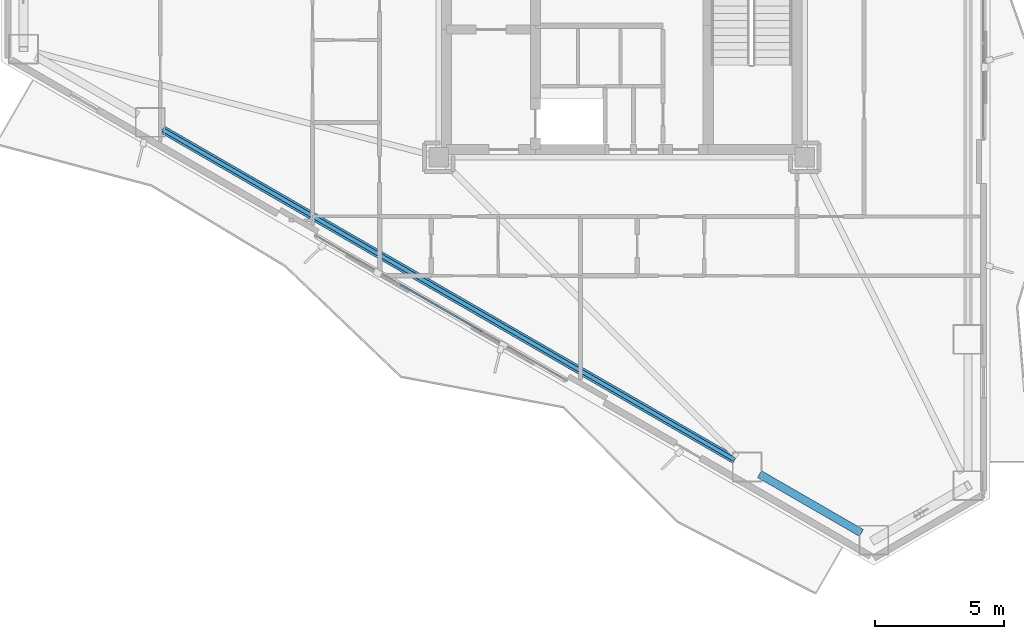
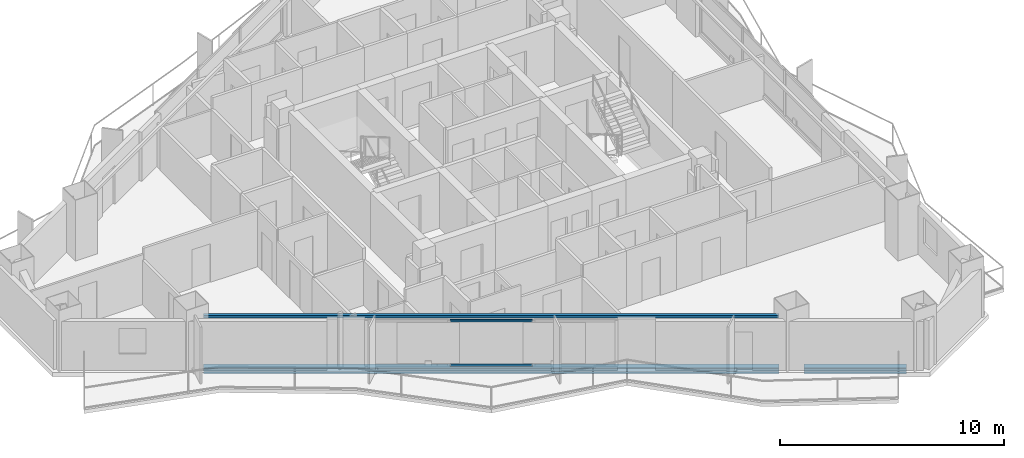
# One storey, part 3 of 22: 3 beams, 2 members, 1 element without a shape of its own.
"""IFC4 building model written with IfcOpenShell, lengths in metres."""

from ifc_helpers import new_model, si_unit, direction, frame, origin, origin_2d, place, context, subcontext, project, spatial, hollow_rectangle, i_section, extrude, material, layer, layer_set, material_profile, profile_set, type_object, element, aggregate, save


model = new_model("IFC4")

# Units and contexts
model_context = context("Model", 3, precision=1e-05, world=origin(), true_north=direction((0.0, 1.0)))
body_context = subcontext(model_context, "Body", "Model", "MODEL_VIEW")
ifc_project = project(units=[si_unit("LENGTHUNIT", "METRE"), si_unit("AREAUNIT", "SQUARE_METRE"), si_unit("VOLUMEUNIT", "CUBIC_METRE"), si_unit("PLANEANGLEUNIT", "RADIAN"), si_unit("MASSUNIT", "GRAM", prefix="KILO")], contexts=[model_context])

# Site, building, storey
site_placement = place(None, origin())
site = spatial("IfcSite", under=ifc_project, at=site_placement, CompositionType="ELEMENT")
building_placement = place(site_placement, origin())
building = spatial("IfcBuilding", under=site, at=building_placement, Name="Mersakhor Tower and Convention Hall", CompositionType="ELEMENT")
storey_placement = place(building_placement, frame((0.0, 0.0, 99.89990234375)))
storey = spatial("IfcBuildingStorey", under=building, at=storey_placement, Name="L27", CompositionType="ELEMENT", Elevation=99.89990234375)

# Beams
ifc_material_1 = material(Name="Steel S355", Category="steel")
ifc_material_profile_1 = material_profile(ifc_material_1, hollow_rectangle(XDim=0.14990234375, YDim=0.14990234375, WallThickness=0.010009765625, at=origin_2d()), Name="SHS 150x150x10")
ifc_profile_set_1 = profile_set([ifc_material_profile_1], Name="Steel S355")
beam_type_1 = type_object("IfcBeamType", Name="BM-GRT-SHS150", PredefinedType="USERDEFINED", material=ifc_profile_set_1)
beam_1_placement = place(storey_placement, frame((33.38232421875, 8.706787109375, 2.47998046875), z_axis=(-0.866022538643, 0.500004962538, 0.0), x_axis=(-0.500004962538, -0.866022538643, 0.0)))
element("IfcBeam", 1, at=beam_1_placement, inside=storey, type_object=beam_type_1, Name="L27 Facade Support Girt GRT-F3", ObjectType="GIRT", PredefinedType="USERDEFINED", context=body_context, shape_type="SweptSolid", body=[
    extrude(hollow_rectangle(XDim=0.14990234375, YDim=0.14990234375, WallThickness=0.010009765625, at=origin_2d()), origin(), (0.0, 0.0, 1.0), 25.633544921875),
])
ifc_material_2 = material(Name="Steel S355", Category="steel")
ifc_material_profile_2 = material_profile(ifc_material_2, i_section(OverallWidth=0.30908203125, OverallDepth=0.320556640625, WebThickness=0.013916015625, FlangeThickness=0.021728515625, at=origin_2d()), Name="UC 305x305x137")
ifc_profile_set_2 = profile_set([ifc_material_profile_2], Name="Steel S355")
beam_type_2 = type_object("IfcBeamType", Name="BM-SPD-UC305", PredefinedType="SPANDREL", material=ifc_profile_set_2)
beam_2_placement = place(storey_placement, frame((38.298095703125, 5.868896484375, -0.41015625), z_axis=(-0.866046694585, 0.499963121439, 0.0), x_axis=(-0.499963121439, -0.866046694585, 0.0)))
element("IfcBeam", 2, at=beam_2_placement, inside=storey, type_object=beam_type_2, Name="L27 Perimeter Spandrel Beam SPB-09", PredefinedType="SPANDREL", context=body_context, shape_type="SweptSolid", body=[
    extrude(i_section(OverallWidth=0.30908203125, OverallDepth=0.320556640625, WebThickness=0.013916015625, FlangeThickness=0.021728515625, at=origin_2d()), origin(), (0.0, 0.0, 1.0), 4.566162109375),
])
beam_3_placement = place(storey_placement, frame((33.38232421875, 8.706787109375, -0.41015625), z_axis=(-0.866022538643, 0.500004962538, 0.0), x_axis=(-0.500004962538, -0.866022538643, 0.0)))
element("IfcBeam", 3, at=beam_3_placement, inside=storey, type_object=beam_type_2, Name="L27 Perimeter Spandrel Beam SPB-10", PredefinedType="SPANDREL", context=body_context, shape_type="SweptSolid", body=[
    extrude(i_section(OverallWidth=0.30908203125, OverallDepth=0.320556640625, WebThickness=0.013916015625, FlangeThickness=0.021728515625, at=origin_2d()), origin(), (0.0, 0.0, 1.0), 25.633544921875),
])

# Curtain wall, members
ifc_material_3 = material(Name="Dark solar low-E aluminium curtain wall", Category="aluminium")
ifc_layer = layer(ifc_material_3, 0.159912109375)
ifc_layer_set = layer_set([ifc_layer], Name="Dark solar low-E aluminium curtain wall")
curtain_wall_type = type_object("IfcCurtainWallType", Name="CW-SYS-01", PredefinedType="USERDEFINED", material=ifc_layer_set)
curtain_wall_placement = place(storey_placement, origin())
curtain_wall = element("IfcCurtainWall", 4, at=curtain_wall_placement, inside=storey, type_object=curtain_wall_type, Name="L27 Dark-Glass Curtain Wall F3-B2", ObjectType="CURTAIN WALL", PredefinedType="USERDEFINED")
ifc_material_4 = material(Name="Anodised aluminium EN AW-6063 T6", Category="aluminium")
ifc_material_profile_3 = material_profile(ifc_material_4, hollow_rectangle(XDim=0.06005859375, YDim=0.1201171875, WallThickness=0.0048828125, at=origin_2d()), Name="RHS 120x60x5")
ifc_profile_set_3 = profile_set([ifc_material_profile_3], Name="Anodised aluminium EN AW-6063 T6")
member_type = type_object("IfcMemberType", Name="CWT-120x60", PredefinedType="USERDEFINED", material=ifc_profile_set_3)
member_1_placement = place(storey_placement, frame((23.571044921875, 13.6787109375, 0.22998046875), z_axis=(-0.866039286129, 0.499975954304, 0.0), x_axis=(-0.499975954304, -0.866039286129, 0.0)))
member_1 = element("IfcMember", 5, at=member_1_placement, type_object=member_type, Name="CW-01 transom 2.1", ObjectType="TRANSOM", PredefinedType="USERDEFINED", context=body_context, shape_type="SweptSolid", body=[
    extrude(hollow_rectangle(XDim=0.06005859375, YDim=0.1201171875, WallThickness=0.0048828125, at=origin_2d()), origin(), (0.0, 0.0, 1.0), 3.668212890625),
])
member_2_placement = place(storey_placement, frame((23.571044921875, 13.6787109375, 2.64013671875), z_axis=(-0.866039286129, 0.499975954304, 0.0), x_axis=(-0.499975954304, -0.866039286129, 0.0)))
member_2 = element("IfcMember", 6, at=member_2_placement, type_object=member_type, Name="CW-01 transom 2.2", ObjectType="TRANSOM", PredefinedType="USERDEFINED", context=body_context, shape_type="SweptSolid", body=[
    extrude(hollow_rectangle(XDim=0.06005859375, YDim=0.1201171875, WallThickness=0.0048828125, at=origin_2d()), origin(), (0.0, 0.0, 1.0), 3.668212890625),
])
aggregate(curtain_wall, [member_1, member_2])

save(model, "model.ifc")
